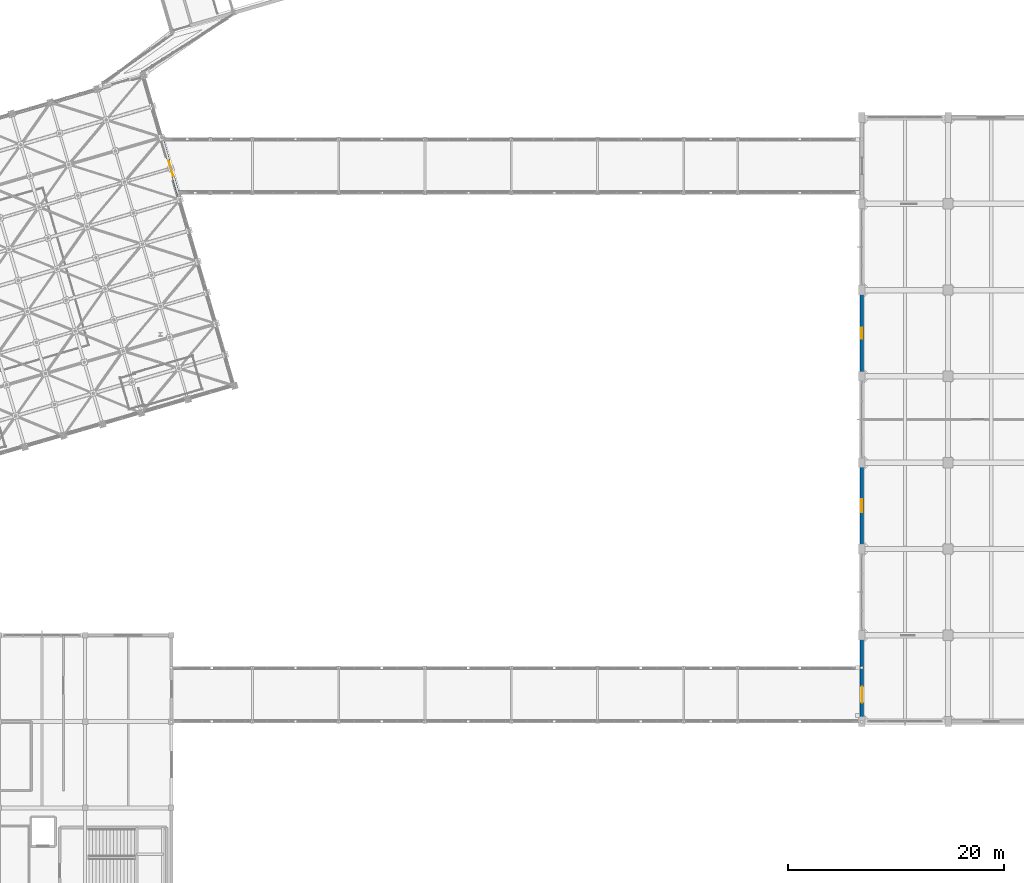
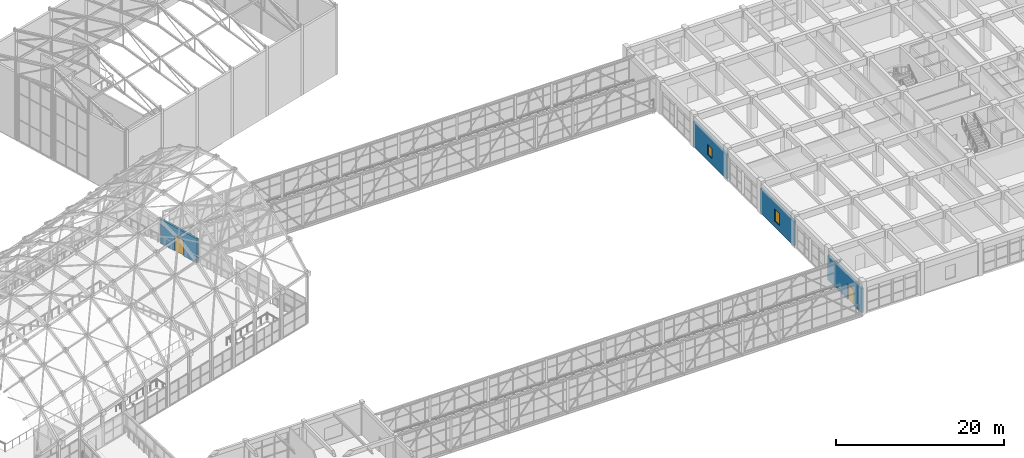
# One storey, part 225 of 248: 4 walls, 2 doors, 2 windows, 4 openings.
"""IFC4 building model written with IfcOpenShell, lengths in metres."""

from ifc_helpers import new_model, si_unit, direction, frame, frame_2d, origin, place, context, subcontext, project, spatial, rectangle, extrude, material, layer, layer_set, type_object, element, fill, save


model = new_model("IFC4")

# Units and contexts
model_context = context("Model", 3, precision=1e-05, world=origin(), true_north=direction((0.0, 1.0)))
body_context = subcontext(model_context, "Body", "Model", "MODEL_VIEW")
ifc_project = project(units=[si_unit("LENGTHUNIT", "METRE"), si_unit("AREAUNIT", "SQUARE_METRE"), si_unit("VOLUMEUNIT", "CUBIC_METRE"), si_unit("PLANEANGLEUNIT", "RADIAN"), si_unit("MASSUNIT", "GRAM", prefix="KILO")], contexts=[model_context])

# Site, building, storey
site_placement = place(None, origin())
site = spatial("IfcSite", under=ifc_project, at=site_placement, CompositionType="ELEMENT")
building_placement = place(site_placement, origin())
building = spatial("IfcBuilding", under=site, at=building_placement, Name="Canggui Botanical Conservatory", CompositionType="ELEMENT")
storey_placement = place(building_placement, frame((0.0, 0.0, 5.39990234375)))
storey = spatial("IfcBuildingStorey", under=building, at=storey_placement, Name="L02", CompositionType="ELEMENT", Elevation=5.39990234375)

# Wall, opening, door
ifc_material_1 = material(Name="Precast Concrete C40", Category="concrete")
ifc_layer_1 = layer(ifc_material_1, 0.260009765625, Name="Precast Concrete C40", Category="concrete")
ifc_layer_set_1 = layer_set([ifc_layer_1], Name="Precast Concrete C40")
wall_type_1 = type_object("IfcWallType", Name="EW-260", PredefinedType="STANDARD", material=ifc_layer_set_1)
wall_1_placement = place(storey_placement, frame((65.1201171875, 80.159912109375, 0.0), z_axis=(0.0, 0.0, 1.0), x_axis=(0.279989062464, -0.960003190047, 0.0)))
wall_1 = element("IfcWall", 1, at=wall_1_placement, inside=storey, type_object=wall_type_1, Name="Conservatory North Gable Skybridge SB-04 Portal Wall", PredefinedType="STANDARD", context=body_context, shape_type="SweptSolid", body=[
    extrude(rectangle(XDim=6.0, YDim=0.260009765625, at=frame_2d((3.0, 0.0))), origin(), (0.0, 0.0, 1.0), 3.5),
])
opening_1_placement = place(wall_1_placement, frame((2.25, 0.0, 0.0)))
opening_1 = element("IfcOpeningElement", 2, at=opening_1_placement, cuts=wall_1, Name="Opening TD-01", PredefinedType="OPENING", context=body_context, shape_type="SweptSolid", body=[
    extrude(rectangle(XDim=1.5, YDim=2.25, at=frame_2d((0.75, 1.125))), frame((0.0, 0.14013671875, 0.0), z_axis=(0.0, -1.0, 0.0), x_axis=(1.0, 0.0, 0.0)), (0.0, 0.0, 1.0), 0.280029296875),
])
ifc_material_2 = material(Name="Anodised Aluminium", Category="aluminium")
door_type = type_object("IfcDoorType", Name="EDR-TER15", OperationType="NOTDEFINED", PredefinedType="DOOR", material=ifc_material_2)
door_1_placement = place(opening_1_placement, origin())
door_1 = element("IfcDoor", 3, at=door_1_placement, inside=storey, type_object=door_type, Name="Conservatory Skybridge SB-04 Fire Door", OperationType="SINGLE_SWING_RIGHT", OverallHeight=2.25, OverallWidth=1.5, PredefinedType="DOOR", context=body_context, shape_type="SweptSolid", body=[
    extrude(rectangle(XDim=1.5, YDim=2.25, at=frame_2d((0.75, 1.125))), frame((0.0, 0.02490234375, 0.0), z_axis=(0.0, -1.0, 0.0), x_axis=(1.0, 0.0, 0.0)), (0.0, 0.0, 1.0), 0.050048828125),
])
fill(opening_1, door_1)

ifc_layer_2 = layer(ifc_material_1, 0.300048828125, Name="Precast Concrete C40", Category="concrete")
ifc_layer_set_2 = layer_set([ifc_layer_2], Name="Precast Concrete C40")
wall_type_2 = type_object("IfcWallType", Name="EW-300", PredefinedType="STANDARD", material=ifc_layer_set_2)
wall_2_placement = place(storey_placement, frame((130.0, 26.0, 0.0), z_axis=(0.0, 0.0, 1.0), x_axis=(0.0, 1.0, 0.0)))
wall_2 = element("IfcWall", 4, at=wall_2_placement, inside=storey, type_object=wall_type_2, Name="Tower Insulated Exterior Wall L02-W7", PredefinedType="STANDARD", context=body_context, shape_type="SweptSolid", body=[
    extrude(rectangle(XDim=8.0, YDim=0.300048828125, at=frame_2d((4.0, 0.0))), origin(), (0.0, 0.0, 1.0), 3.550048828125),
])
opening_2_placement = place(wall_2_placement, frame((1.75, 0.0, 0.0)))
opening_2 = element("IfcOpeningElement", 5, at=opening_2_placement, cuts=wall_2, Name="Opening TD-01", PredefinedType="OPENING", context=body_context, shape_type="SweptSolid", body=[
    extrude(rectangle(XDim=1.5, YDim=2.25, at=frame_2d((0.75, 1.125))), frame((0.0, 0.16015625, 0.0), z_axis=(0.0, -1.0, 0.0), x_axis=(1.0, 0.0, 0.0)), (0.0, 0.0, 1.0), 0.320068359375),
])
door_2_placement = place(opening_2_placement, origin())
door_2 = element("IfcDoor", 6, at=door_2_placement, inside=storey, type_object=door_type, Name="Skybridge Compartment Fire Door L02-7", OperationType="SINGLE_SWING_LEFT", OverallHeight=2.25, OverallWidth=1.5, PredefinedType="DOOR", context=body_context, shape_type="SweptSolid", body=[
    extrude(rectangle(XDim=1.5, YDim=2.25, at=frame_2d((0.75, 1.125))), frame((0.0, 0.02490234375, 0.0), z_axis=(0.0, -1.0, 0.0), x_axis=(1.0, 0.0, 0.0)), (0.0, 0.0, 1.0), 0.050048828125),
])
fill(opening_2, door_2)

# Wall, opening, window
wall_3_placement = place(storey_placement, frame((130.0, 42.0, 0.0), z_axis=(0.0, 0.0, 1.0), x_axis=(0.0, 1.0, 0.0)))
wall_3 = element("IfcWall", 7, at=wall_3_placement, inside=storey, type_object=wall_type_2, Name="Tower Insulated Exterior Wall L02-W9", PredefinedType="STANDARD", context=body_context, shape_type="SweptSolid", body=[
    extrude(rectangle(XDim=8.0, YDim=0.300048828125, at=frame_2d((4.0, 0.0))), origin(), (0.0, 0.0, 1.0), 3.550048828125),
])
opening_3_placement = place(wall_3_placement, frame((3.39990234375, 0.0, 0.85009765625)))
opening_3 = element("IfcOpeningElement", 8, at=opening_3_placement, cuts=wall_3, Name="Opening W-15", PredefinedType="OPENING", context=body_context, shape_type="SweptSolid", body=[
    extrude(rectangle(XDim=1.199951171875, YDim=1.800048828125, at=frame_2d((0.60009765625, 0.89990234375))), frame((0.0, 0.16015625, 0.0), z_axis=(0.0, -1.0, 0.0), x_axis=(1.0, 0.0, 0.0)), (0.0, 0.0, 1.0), 0.320068359375),
])
ifc_material_3 = material(Name="Low-E Insulated Glass", Category="glass")
window_type_1 = type_object("IfcWindowType", Name="WIN-15", PartitioningType="SINGLE_PANEL", PredefinedType="WINDOW", material=ifc_material_3)
window_1_placement = place(opening_3_placement, origin())
window_1 = element("IfcWindow", 9, at=window_1_placement, inside=storey, type_object=window_type_1, Name="Tower Window L02-9", OverallHeight=1.800048828125, OverallWidth=1.199951171875, PartitioningType="SINGLE_PANEL", PredefinedType="WINDOW", context=body_context, shape_type="SweptSolid", body=[
    extrude(rectangle(XDim=1.199951171875, YDim=1.800048828125, at=frame_2d((0.60009765625, 0.89990234375))), frame((0.0, 0.030029296875, 0.0), z_axis=(0.0, -1.0, 0.0), x_axis=(1.0, 0.0, 0.0)), (0.0, 0.0, 1.0), 0.06005859375),
])
fill(opening_3, window_1)

wall_4_placement = place(storey_placement, frame((130.0, 58.0, 0.0), z_axis=(0.0, 0.0, 1.0), x_axis=(0.0, 1.0, 0.0)))
wall_4 = element("IfcWall", 10, at=wall_4_placement, inside=storey, type_object=wall_type_2, Name="Tower Insulated Exterior Wall L02-W11", PredefinedType="STANDARD", context=body_context, shape_type="SweptSolid", body=[
    extrude(rectangle(XDim=8.0, YDim=0.300048828125, at=frame_2d((4.0, 0.0))), origin(), (0.0, 0.0, 1.0), 3.550048828125),
])
opening_4_placement = place(wall_4_placement, frame((3.5, 0.0, 0.85009765625)))
opening_4 = element("IfcOpeningElement", 11, at=opening_4_placement, cuts=wall_4, Name="Opening W-16", PredefinedType="OPENING", context=body_context, shape_type="SweptSolid", body=[
    extrude(rectangle(XDim=1.0, YDim=1.5, at=frame_2d((0.5, 0.75))), frame((0.0, 0.16015625, 0.0), z_axis=(0.0, -1.0, 0.0), x_axis=(1.0, 0.0, 0.0)), (0.0, 0.0, 1.0), 0.320068359375),
])
window_type_2 = type_object("IfcWindowType", Name="WIN-16", PartitioningType="SINGLE_PANEL", PredefinedType="WINDOW", material=ifc_material_3)
window_2_placement = place(opening_4_placement, origin())
window_2 = element("IfcWindow", 12, at=window_2_placement, inside=storey, type_object=window_type_2, Name="Tower Window L02-11", OverallHeight=1.5, OverallWidth=1.0, PartitioningType="SINGLE_PANEL", PredefinedType="WINDOW", context=body_context, shape_type="SweptSolid", body=[
    extrude(rectangle(XDim=1.0, YDim=1.5, at=frame_2d((0.5, 0.75))), frame((0.0, 0.030029296875, 0.0), z_axis=(0.0, -1.0, 0.0), x_axis=(1.0, 0.0, 0.0)), (0.0, 0.0, 1.0), 0.06005859375),
])
fill(opening_4, window_2)

save(model, "model.ifc")
